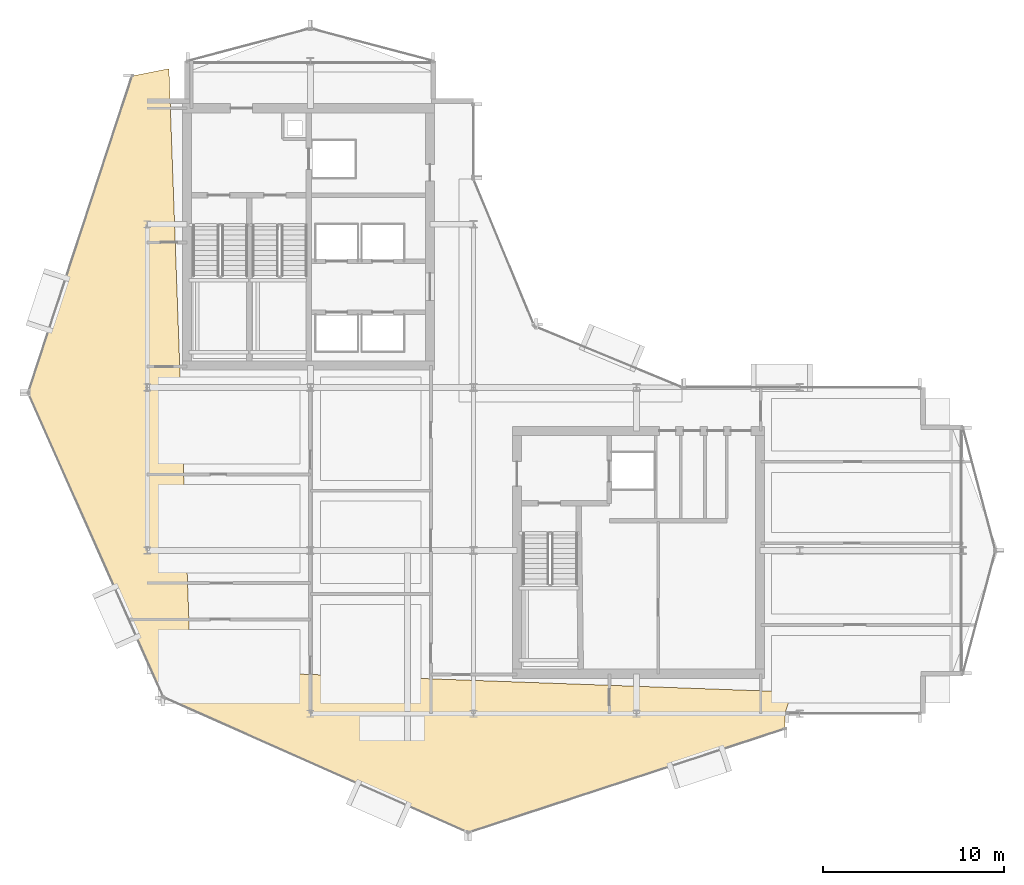
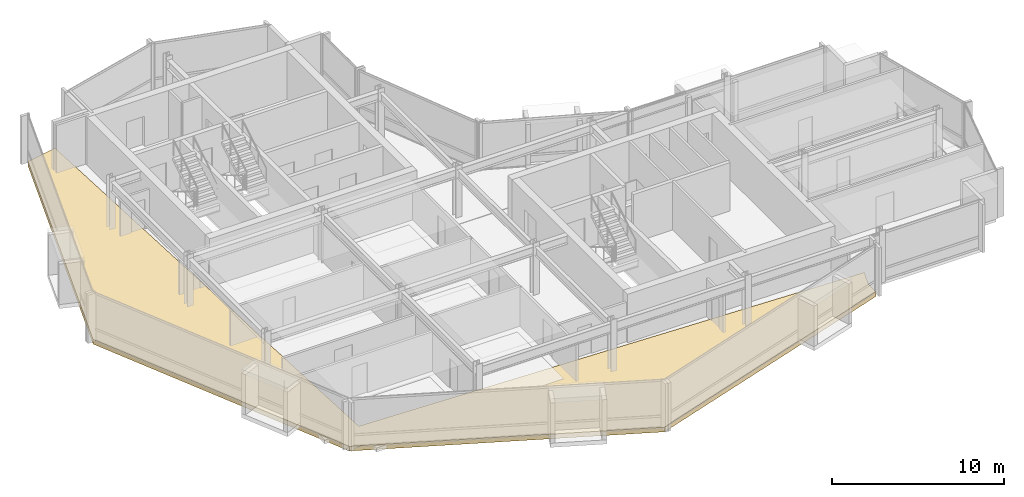
# One storey, part 25 of 28: 1 covering.
"""IFC4 building model written with IfcOpenShell, lengths in metres."""

from ifc_helpers import new_model, si_unit, direction, frame, origin, place, context, subcontext, project, spatial, polyline, outline, extrude, material, layer, layer_set, type_object, element, save


model = new_model("IFC4")

# Units and contexts
model_context = context("Model", 3, precision=1e-05, world=origin(), true_north=direction((0.0, 1.0)))
body_context = subcontext(model_context, "Body", "Model", "MODEL_VIEW")
ifc_project = project(units=[si_unit("LENGTHUNIT", "METRE"), si_unit("AREAUNIT", "SQUARE_METRE"), si_unit("VOLUMEUNIT", "CUBIC_METRE"), si_unit("PLANEANGLEUNIT", "RADIAN"), si_unit("MASSUNIT", "GRAM", prefix="KILO")], contexts=[model_context])

# Site, building, storey
site_placement = place(None, origin())
site = spatial("IfcSite", under=ifc_project, at=site_placement, CompositionType="ELEMENT")
building_placement = place(site_placement, origin())
building = spatial("IfcBuilding", under=site, at=building_placement, Name="Solvaryn Broadcast Tower", CompositionType="ELEMENT")
storey_placement = place(building_placement, frame((0.0, 0.0, 209.89990234375)))
storey = spatial("IfcBuildingStorey", under=building, at=storey_placement, Name="L52", CompositionType="ELEMENT", Elevation=209.89990234375)

# Covering
ifc_material = material(Name="Sculpted Architectural Terracotta Wave Fascia", Category="masonry")
ifc_layer = layer(ifc_material, 0.340087890625)
ifc_layer_set = layer_set([ifc_layer], Name="CV-WAVE-TRAY")
covering_type = type_object("IfcCoveringType", Name="CV-WAVE-TRAY", PredefinedType="CLADDING", material=ifc_layer_set)
covering_placement = place(storey_placement, frame((0.0, 0.0, -0.2998046875)))
element("IfcCovering", 1, at=covering_placement, inside=storey, type_object=covering_type, Name="L52 Stepped Cylindrical Drum Floor Apron", PredefinedType="CLADDING", context=body_context, shape_type="SweptSolid", body=[
    extrude(outline(polyline([(10.199951171875, 44.58203125), (8.1630859375, 44.181884765625), (2.43310546875, 26.7060546875), (9.89794921875, 9.89794921875), (26.7060546875, 2.43310546875), (44.181884765625, 8.1630859375), (44.181884765625, 9.0), (44.58203125, 10.199951171875), (11.39990234375, 11.39990234375), (10.199951171875, 44.58203125)])), origin(), (0.0, 0.0, 1.0), 0.329833984375),
])

save(model, "model.ifc")
